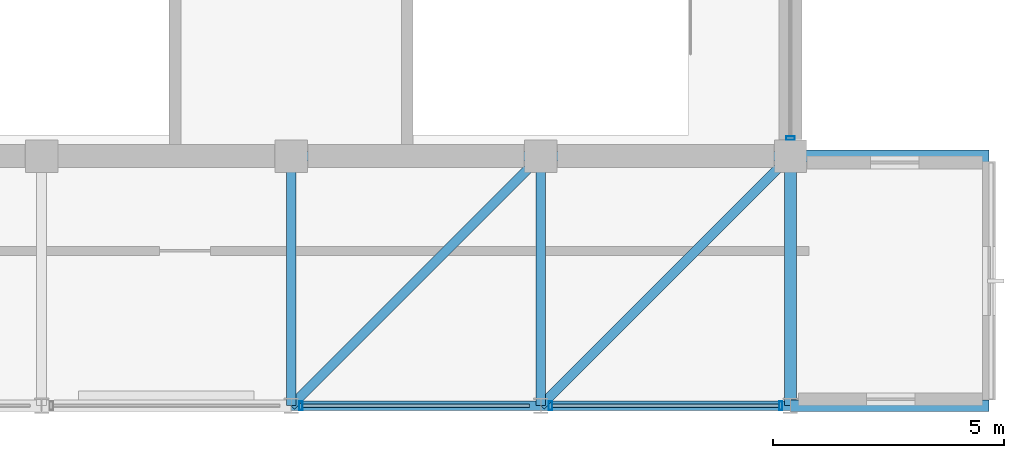
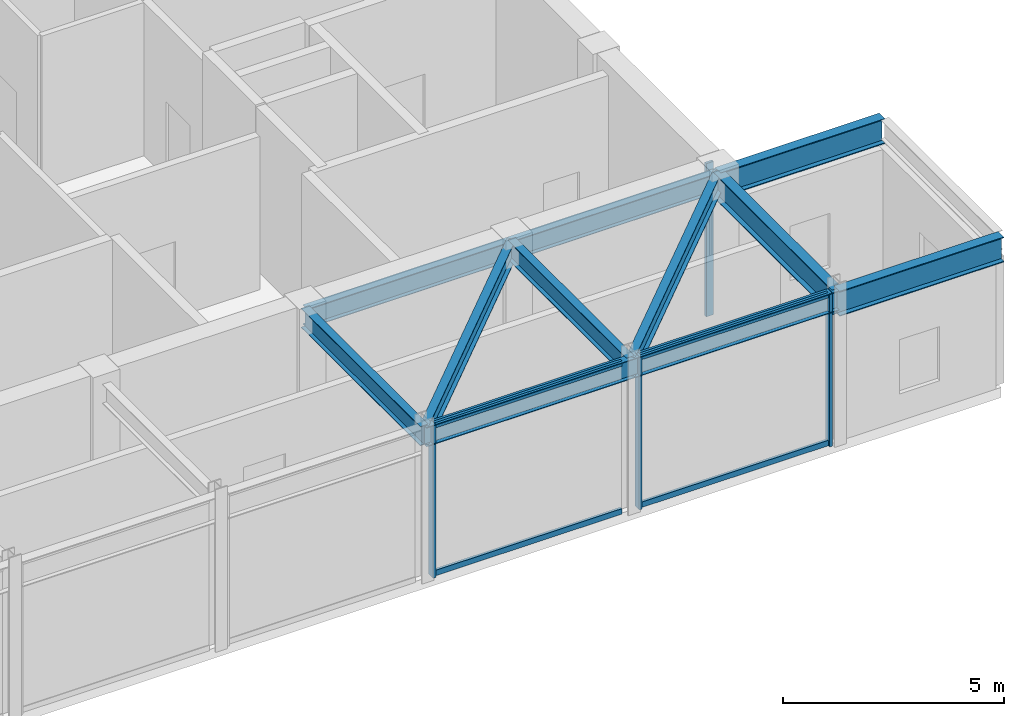
# One storey, part 5 of 18: 9 beams, 8 members, 2 elements without a shape of their own.
"""IFC4 building model written with IfcOpenShell, lengths in metres."""

from ifc_helpers import new_model, si_unit, direction, frame, origin, origin_2d, place, context, subcontext, project, spatial, hollow_rectangle, i_section, extrude, material, layer, layer_set, material_profile, profile_set, type_object, element, aggregate, save


model = new_model("IFC4")

# Units and contexts
model_context = context("Model", 3, precision=1e-05, world=origin(), true_north=direction((0.0, 1.0)))
body_context = subcontext(model_context, "Body", "Model", "MODEL_VIEW")
ifc_project = project(units=[si_unit("LENGTHUNIT", "METRE"), si_unit("AREAUNIT", "SQUARE_METRE"), si_unit("VOLUMEUNIT", "CUBIC_METRE"), si_unit("PLANEANGLEUNIT", "RADIAN"), si_unit("MASSUNIT", "GRAM", prefix="KILO")], contexts=[model_context])

# Site, building, storey
site_placement = place(None, origin())
site = spatial("IfcSite", under=ifc_project, at=site_placement, CompositionType="ELEMENT")
building_placement = place(site_placement, origin())
building = spatial("IfcBuilding", under=site, at=building_placement, Name="Surkhivell Harbour Commons", CompositionType="ELEMENT")
storey_placement = place(building_placement, frame((0.0, 0.0, 360.0)))
storey = spatial("IfcBuildingStorey", under=building, at=storey_placement, Name="L93", CompositionType="ELEMENT", Elevation=360.0)

# Beams
ifc_material_1 = material(Name="Steel S460", Category="steel")
ifc_material_profile_1 = material_profile(ifc_material_1, i_section(OverallWidth=0.256103515625, OverallDepth=0.693115234375, WebThickness=0.014404296875, FlangeThickness=0.023681640625, at=origin_2d()), Name="UB686x254x170")
ifc_profile_set_1 = profile_set([ifc_material_profile_1], Name="Steel S460")
beam_type_1 = type_object("IfcBeamType", Name="BM-CNT-686", PredefinedType="BEAM", material=ifc_profile_set_1)
for number, where, z_axis, x_axis, name in (
    (1, (10.800048828125, -16.199951171875, 3.8935546875), (1.0, 0.0, 0.0), (0.0, 1.0, 0.0), "L93 Box Cantilever Outrigger (10.8,-16.2)"),
    (2, (10.800048828125, -10.800048828125, 3.8935546875), (1.0, 0.0, 0.0), (0.0, 1.0, 0.0), "L93 Box Cantilever Outrigger (10.8,-10.8)"),
):
    element("IfcBeam", number, at=place(storey_placement, frame(where, z_axis=z_axis, x_axis=x_axis)), inside=storey, type_object=beam_type_1, Name=name, PredefinedType="BEAM", context=body_context, shape_type="SweptSolid", body=[
        extrude(i_section(OverallWidth=0.256103515625, OverallDepth=0.693115234375, WebThickness=0.014404296875, FlangeThickness=0.023681640625, at=origin_2d()), origin(), (0.0, 0.0, 1.0), 4.300048828125),
    ])
ifc_material_2 = material(Name="Steel S355", Category="steel")
ifc_material_profile_2 = material_profile(ifc_material_2, i_section(OverallWidth=0.2099609375, OverallDepth=0.537109375, WebThickness=0.0107421875, FlangeThickness=0.017333984375, at=origin_2d()), Name="UB533x210x101")
ifc_profile_set_2 = profile_set([ifc_material_profile_2], Name="Steel S355")
beam_type_2 = type_object("IfcBeamType", Name="BM-GRD-533B", PredefinedType="BEAM", material=ifc_profile_set_2)
for number, where, z_axis, x_axis, name in (
    (3, (0.0, -16.199951171875, 3.971435546875), (1.0, 0.0, 0.0), (0.0, 1.0, 0.0), "L93 Cantilever Back-Span Girder (0.0,-16.2)"),
    (4, (0.0, -10.800048828125, 3.971435546875), (1.0, 0.0, 0.0), (0.0, 1.0, 0.0), "L93 Cantilever Back-Span Girder (0.0,-10.8)"),
):
    element("IfcBeam", number, at=place(storey_placement, frame(where, z_axis=z_axis, x_axis=x_axis)), inside=storey, type_object=beam_type_2, Name=name, PredefinedType="BEAM", context=body_context, shape_type="SweptSolid", body=[
        extrude(i_section(OverallWidth=0.2099609375, OverallDepth=0.537109375, WebThickness=0.0107421875, FlangeThickness=0.017333984375, at=origin_2d()), origin(), (0.0, 0.0, 1.0), 10.800048828125),
    ])
beam_1_placement = place(storey_placement, frame((0.0, -16.199951171875, 3.971435546875), z_axis=(0.0, 1.0, 0.0), x_axis=(-1.0, 0.0, 0.0)))
element("IfcBeam", 5, at=beam_1_placement, inside=storey, type_object=beam_type_2, Name="L93 Floor Girder (0.0,-16.2)", PredefinedType="BEAM", context=body_context, shape_type="SweptSolid", body=[
    extrude(i_section(OverallWidth=0.2099609375, OverallDepth=0.537109375, WebThickness=0.0107421875, FlangeThickness=0.017333984375, at=origin_2d()), origin(), (0.0, 0.0, 1.0), 5.39990234375),
])
beam_2_placement = place(storey_placement, frame((0.0, -16.199951171875, 3.971435546875), z_axis=(0.707106781187, 0.707106781187, 0.0), x_axis=(-0.707106781187, 0.707106781187, 0.0)))
element("IfcBeam", 6, at=beam_2_placement, inside=storey, type_object=beam_type_2, Name="L93 Floor Girder (0.0,-16.2)", PredefinedType="BEAM", context=body_context, shape_type="SweptSolid", body=[
    extrude(i_section(OverallWidth=0.2099609375, OverallDepth=0.537109375, WebThickness=0.0107421875, FlangeThickness=0.017333984375, at=origin_2d()), origin(), (0.0, 0.0, 1.0), 7.63671875),
])
beam_3_placement = place(storey_placement, frame((5.39990234375, -16.199951171875, 3.971435546875), z_axis=(0.0, 1.0, 0.0), x_axis=(-1.0, 0.0, 0.0)))
element("IfcBeam", 7, at=beam_3_placement, inside=storey, type_object=beam_type_2, Name="L93 Floor Girder (5.4,-16.2)", PredefinedType="BEAM", context=body_context, shape_type="SweptSolid", body=[
    extrude(i_section(OverallWidth=0.2099609375, OverallDepth=0.537109375, WebThickness=0.0107421875, FlangeThickness=0.017333984375, at=origin_2d()), origin(), (0.0, 0.0, 1.0), 5.39990234375),
])
beam_4_placement = place(storey_placement, frame((5.39990234375, -16.199951171875, 3.971435546875), z_axis=(0.707122765516, 0.707090796496, 0.0), x_axis=(-0.707090796496, 0.707122765516, 0.0)))
element("IfcBeam", 8, at=beam_4_placement, inside=storey, type_object=beam_type_2, Name="L93 Floor Girder (5.4,-16.2)", PredefinedType="BEAM", context=body_context, shape_type="SweptSolid", body=[
    extrude(i_section(OverallWidth=0.2099609375, OverallDepth=0.537109375, WebThickness=0.0107421875, FlangeThickness=0.017333984375, at=origin_2d()), origin(), (0.0, 0.0, 1.0), 7.63671875),
])
ifc_material_profile_3 = material_profile(ifc_material_2, i_section(OverallWidth=0.256103515625, OverallDepth=0.693115234375, WebThickness=0.014404296875, FlangeThickness=0.023681640625, at=origin_2d()), Name="UB686x254x170")
ifc_profile_set_3 = profile_set([ifc_material_profile_3], Name="Steel S355")
beam_type_3 = type_object("IfcBeamType", Name="BM-SPN-686", PredefinedType="SPANDREL", material=ifc_profile_set_3)
beam_5_placement = place(storey_placement, frame((10.800048828125, -16.199951171875, 3.8935546875), z_axis=(0.0, 1.0, 0.0), x_axis=(-1.0, 0.0, 0.0)))
element("IfcBeam", 9, at=beam_5_placement, inside=storey, type_object=beam_type_3, Name="L93 Tube Spandrel (10.8,-16.2)", PredefinedType="SPANDREL", context=body_context, shape_type="SweptSolid", body=[
    extrude(i_section(OverallWidth=0.256103515625, OverallDepth=0.693115234375, WebThickness=0.014404296875, FlangeThickness=0.023681640625, at=origin_2d()), origin(), (0.0, 0.0, 1.0), 5.39990234375),
])

# Curtain wall, members
ifc_material_3 = material(Name="Anodised pale-metal aluminium and insulated glazing", Category="aluminium")
ifc_layer = layer(ifc_material_3, 0.22998046875)
ifc_layer_set = layer_set([ifc_layer], Name="Anodised pale-metal aluminium and insulated glazing")
curtain_wall_type = type_object("IfcCurtainWallType", Name="CW-SYS-CRN", PredefinedType="NOTDEFINED", material=ifc_layer_set)
curtain_wall_1_placement = place(storey_placement, origin())
curtain_wall_1 = element("IfcCurtainWall", 10, at=curtain_wall_1_placement, inside=storey, type_object=curtain_wall_type, Name="L93 Curtain Wall CW-L93-C00", PredefinedType="NOTDEFINED")
ifc_material_4 = material(Name="Anodised pale-metal aluminium alloy 6063-T6", Category="aluminium")
ifc_material_profile_4 = material_profile(ifc_material_4, hollow_rectangle(XDim=0.074951171875, YDim=0.18994140625, WallThickness=0.00390625, at=origin_2d()), Name="ALU-MULL-75x190")
ifc_profile_set_4 = profile_set([ifc_material_profile_4], Name="Anodised pale-metal aluminium alloy 6063-T6")
member_type_1 = type_object("IfcMemberType", Name="CWM-190", PredefinedType="MULLION", material=ifc_profile_set_4)
member_1_placement = place(storey_placement, frame((0.20947265625, -16.199951171875, 0.0), z_axis=(0.0, 0.0, 1.0), x_axis=(1.0, 0.0, 0.0)))
member_1 = element("IfcMember", 11, at=member_1_placement, type_object=member_type_1, Name="CW-CRN mullion 4", PredefinedType="MULLION", context=body_context, shape_type="SweptSolid", body=[
    extrude(hollow_rectangle(XDim=0.074951171875, YDim=0.18994140625, WallThickness=0.00390625, at=origin_2d()), origin(), (0.0, 0.0, 1.0), 4.239990234375),
])
member_2_placement = place(storey_placement, frame((5.609619140625, -16.199951171875, 0.0), z_axis=(0.0, 0.0, 1.0), x_axis=(1.0, 0.0, 0.0)))
member_2 = element("IfcMember", 12, at=member_2_placement, type_object=member_type_1, Name="CW-CRN mullion 5", PredefinedType="MULLION", context=body_context, shape_type="SweptSolid", body=[
    extrude(hollow_rectangle(XDim=0.074951171875, YDim=0.18994140625, WallThickness=0.00390625, at=origin_2d()), origin(), (0.0, 0.0, 1.0), 4.239990234375),
])
member_3_placement = place(storey_placement, frame((10.590576171875, -16.199951171875, 0.0), z_axis=(0.0, 0.0, 1.0), x_axis=(1.0, 0.0, 0.0)))
member_3 = element("IfcMember", 13, at=member_3_placement, type_object=member_type_1, Name="CW-CRN mullion 6", PredefinedType="MULLION", context=body_context, shape_type="SweptSolid", body=[
    extrude(hollow_rectangle(XDim=0.074951171875, YDim=0.18994140625, WallThickness=0.00390625, at=origin_2d()), origin(), (0.0, 0.0, 1.0), 4.239990234375),
])

# Curtain wall, member
curtain_wall_2_placement = place(storey_placement, origin())
curtain_wall_2 = element("IfcCurtainWall", 14, at=curtain_wall_2_placement, inside=storey, type_object=curtain_wall_type, Name="L93 Curtain Wall CW-L93-C01S1", PredefinedType="NOTDEFINED")
member_4_placement = place(storey_placement, frame((10.800048828125, -10.410400390625, 0.0), z_axis=(0.0, 0.0, 1.0), x_axis=(0.0, 1.0, 0.0)))
member_4 = element("IfcMember", 15, at=member_4_placement, type_object=member_type_1, Name="CW-CRN mullion 1", PredefinedType="MULLION", context=body_context, shape_type="SweptSolid", body=[
    extrude(hollow_rectangle(XDim=0.074951171875, YDim=0.18994140625, WallThickness=0.00390625, at=origin_2d()), origin(), (0.0, 0.0, 1.0), 4.239990234375),
])
aggregate(curtain_wall_2, [member_4])

# Member
ifc_material_profile_5 = material_profile(ifc_material_4, hollow_rectangle(XDim=0.074951171875, YDim=0.14990234375, WallThickness=0.00341796875, at=origin_2d()), Name="ALU-TRAN-75x150")
ifc_profile_set_5 = profile_set([ifc_material_profile_5], Name="Anodised pale-metal aluminium alloy 6063-T6")
member_type_2 = type_object("IfcMemberType", Name="CWT-150", PredefinedType="USERDEFINED", material=ifc_profile_set_5)
member_5_placement = place(storey_placement, frame((0.2470703125, -16.199951171875, 0.074951171875), z_axis=(1.0, 0.0, 0.0), x_axis=(0.0, 1.0, 0.0)))
member_5 = element("IfcMember", 16, at=member_5_placement, type_object=member_type_2, Name="CW-CRN transom 4.1", ObjectType="TRANSOM", PredefinedType="USERDEFINED", context=body_context, shape_type="SweptSolid", body=[
    extrude(hollow_rectangle(XDim=0.074951171875, YDim=0.14990234375, WallThickness=0.00341796875, at=origin_2d()), origin(), (0.0, 0.0, 1.0), 4.906005859375),
])

member_6_placement = place(storey_placement, frame((0.2470703125, -16.199951171875, 4.1650390625), z_axis=(1.0, 0.0, 0.0), x_axis=(0.0, 1.0, 0.0)))
member_6 = element("IfcMember", 17, at=member_6_placement, type_object=member_type_2, Name="CW-CRN transom 4.2", ObjectType="TRANSOM", PredefinedType="USERDEFINED", context=body_context, shape_type="SweptSolid", body=[
    extrude(hollow_rectangle(XDim=0.074951171875, YDim=0.14990234375, WallThickness=0.00341796875, at=origin_2d()), origin(), (0.0, 0.0, 1.0), 4.906005859375),
])

member_7_placement = place(storey_placement, frame((5.64697265625, -16.199951171875, 0.074951171875), z_axis=(1.0, 0.0, 0.0), x_axis=(0.0, 1.0, 0.0)))
member_7 = element("IfcMember", 18, at=member_7_placement, type_object=member_type_2, Name="CW-CRN transom 5.1", ObjectType="TRANSOM", PredefinedType="USERDEFINED", context=body_context, shape_type="SweptSolid", body=[
    extrude(hollow_rectangle(XDim=0.074951171875, YDim=0.14990234375, WallThickness=0.00341796875, at=origin_2d()), origin(), (0.0, 0.0, 1.0), 4.906005859375),
])

member_8_placement = place(storey_placement, frame((5.64697265625, -16.199951171875, 4.1650390625), z_axis=(1.0, 0.0, 0.0), x_axis=(0.0, 1.0, 0.0)))
member_8 = element("IfcMember", 19, at=member_8_placement, type_object=member_type_2, Name="CW-CRN transom 5.2", ObjectType="TRANSOM", PredefinedType="USERDEFINED", context=body_context, shape_type="SweptSolid", body=[
    extrude(hollow_rectangle(XDim=0.074951171875, YDim=0.14990234375, WallThickness=0.00341796875, at=origin_2d()), origin(), (0.0, 0.0, 1.0), 4.906005859375),
])

aggregate(curtain_wall_1, [member_1, member_5, member_6, member_2, member_3, member_7, member_8])

save(model, "model.ifc")
